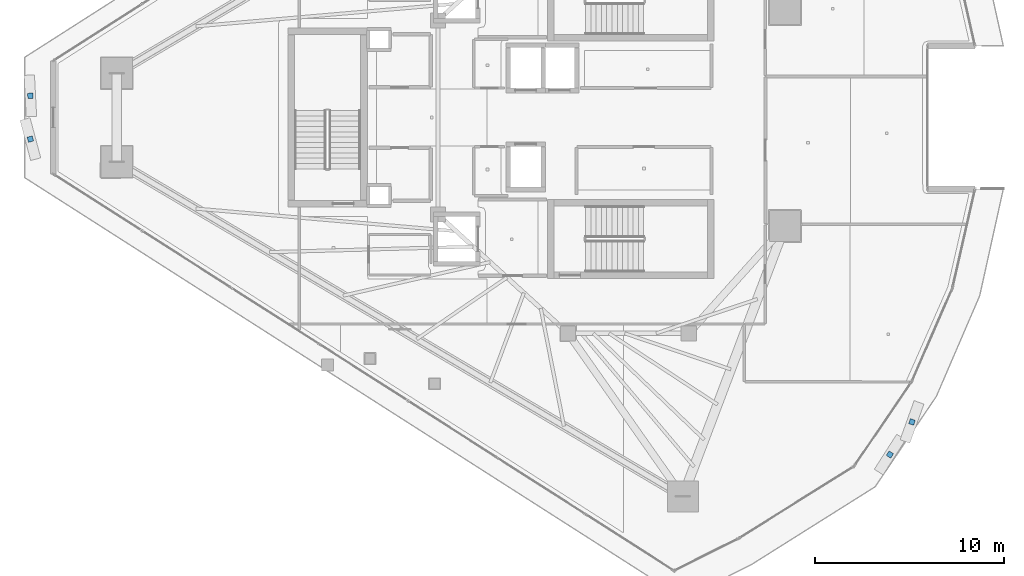
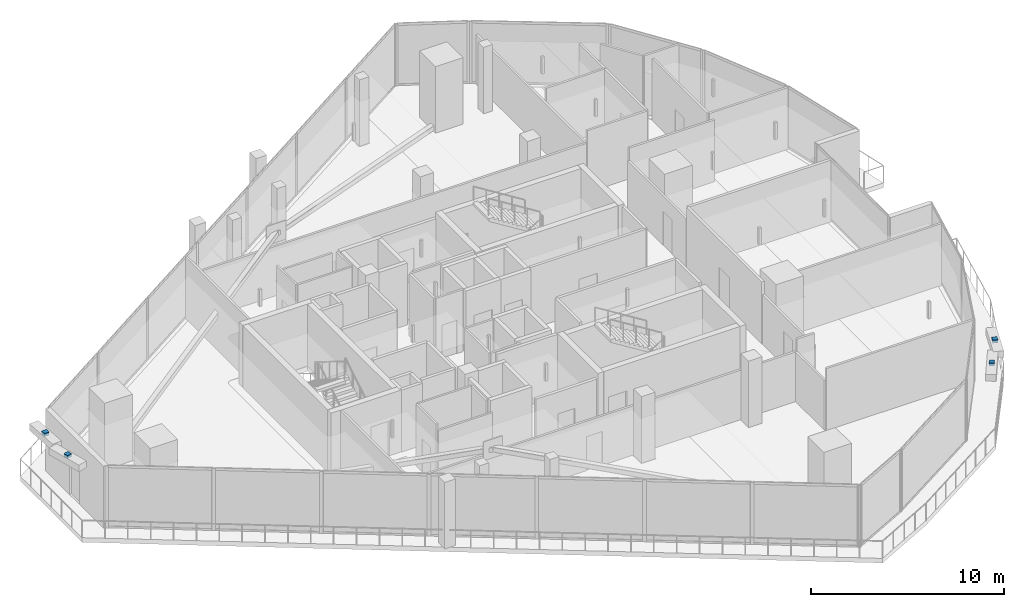
# One storey, part 28 of 34: 4 discrete accessories.
"""IFC4 building model written with IfcOpenShell, lengths in metres."""

from ifc_helpers import new_model, si_unit, direction, frame, origin, origin_2d, place, context, subcontext, project, spatial, rectangle, extrude, material, type_object, element, save


model = new_model("IFC4")

# Units and contexts
model_context = context("Model", 3, precision=1e-05, world=origin(), true_north=direction((0.0, 1.0)))
body_context = subcontext(model_context, "Body", "Model", "MODEL_VIEW")
ifc_project = project(units=[si_unit("LENGTHUNIT", "METRE"), si_unit("AREAUNIT", "SQUARE_METRE"), si_unit("VOLUMEUNIT", "CUBIC_METRE"), si_unit("PLANEANGLEUNIT", "RADIAN"), si_unit("MASSUNIT", "GRAM", prefix="KILO")], contexts=[model_context])

# Site, building, storey
site_placement = place(None, origin())
site = spatial("IfcSite", under=ifc_project, at=site_placement, CompositionType="ELEMENT")
building_placement = place(site_placement, origin())
building = spatial("IfcBuilding", under=site, at=building_placement, Name="Qorvath Tower", CompositionType="ELEMENT")
storey_placement = place(building_placement, frame((0.0, 0.0, 276.60009765625)))
storey = spatial("IfcBuildingStorey", under=building, at=storey_placement, Name="L64", CompositionType="ELEMENT", Elevation=276.60009765625)

# Discrete accessories
ifc_material = material(Name="Galvanised steel bracket", Category="steel")
discrete_accessory_type = type_object("IfcDiscreteAccessoryType", Name="DA-BRACKET", PredefinedType="BRACKET", material=ifc_material)
for number, where, z_axis, x_axis, name in (
    (1, (-52.121337890625, 1.14892578125, 3.77001953125), (0.0, 0.0, 1.0), (0.052829201106, -0.998603562737, 0.0), "Louvre Wave Support Bracket L64-01"),
    (2, (-52.121337890625, -1.14892578125, 3.77001953125), (0.0, 0.0, 1.0), (0.258041780595, -0.96613375858, 0.0), "Louvre Wave Support Bracket L64-02"),
    (3, (-6.53173828125, -17.87890625, 3.77001953125), (0.0, 0.0, 1.0), (0.539073643681, 0.842258634084, 0.0), "Louvre Wave Support Bracket L64-03"),
    (4, (-5.359619140625, -16.148681640625, 3.77001953125), (0.0, 0.0, 1.0), (0.338365126362, 0.941014899596, 0.0), "Louvre Wave Support Bracket L64-04"),
):
    element("IfcDiscreteAccessory", number, at=place(storey_placement, frame(where, z_axis=z_axis, x_axis=x_axis)), inside=storey, type_object=discrete_accessory_type, Name=name, PredefinedType="NOTDEFINED", context=body_context, shape_type="SweptSolid", body=[
        extrude(rectangle(XDim=0.280029296875, YDim=0.280029296875, at=origin_2d()), origin(), (0.0, 0.0, 1.0), 0.199951171875),
    ])

save(model, "model.ifc")
